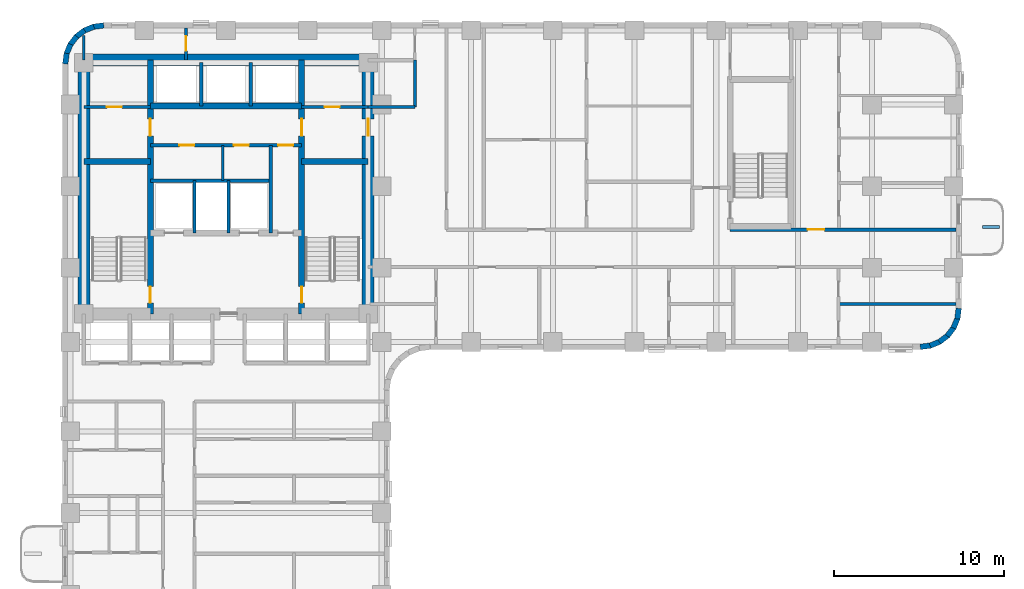
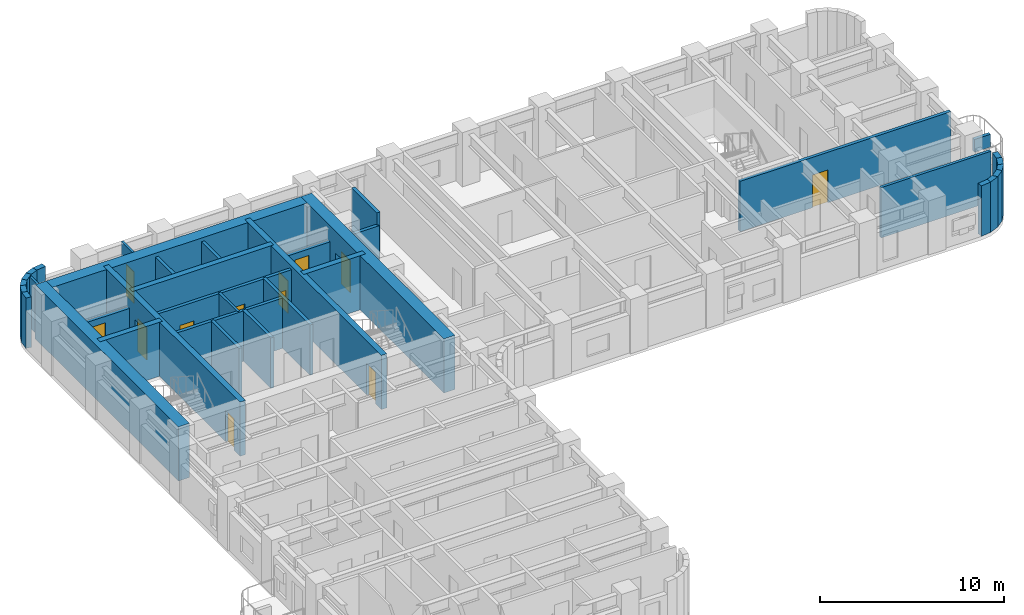
# One storey, part 6 of 12: 37 walls, 12 doors, 12 openings.
"""IFC4 building model written with IfcOpenShell, lengths in metres."""

from ifc_helpers import new_model, si_unit, direction, frame, frame_2d, origin, place, context, subcontext, project, spatial, rectangle, extrude, material, layer, layer_set, type_object, element, fill, save


model = new_model("IFC4")

# Units and contexts
model_context = context("Model", 3, precision=1e-05, world=origin(), true_north=direction((0.0, 1.0)))
body_context = subcontext(model_context, "Body", "Model", "MODEL_VIEW")
ifc_project = project(units=[si_unit("LENGTHUNIT", "METRE"), si_unit("AREAUNIT", "SQUARE_METRE"), si_unit("VOLUMEUNIT", "CUBIC_METRE"), si_unit("PLANEANGLEUNIT", "RADIAN"), si_unit("MASSUNIT", "GRAM", prefix="KILO")], contexts=[model_context])

# Site, building, storey
site_placement = place(None, origin())
site = spatial("IfcSite", under=ifc_project, at=site_placement, CompositionType="ELEMENT")
building_placement = place(site_placement, origin())
building = spatial("IfcBuilding", under=site, at=building_placement, Name="Orvandelia Arch Residences", CompositionType="ELEMENT")
storey_placement = place(building_placement, frame((0.0, 0.0, 35.800048828125)))
storey = spatial("IfcBuildingStorey", under=building, at=storey_placement, Name="L08", CompositionType="ELEMENT", Elevation=35.800048828125)

# Wall, openings, doors
ifc_material_1 = material(Name="Concrete C50/60", Category="concrete")
ifc_layer_1 = layer(ifc_material_1, 0.35009765625, Name="Concrete C50/60", Category="concrete")
ifc_layer_set_1 = layer_set([ifc_layer_1], Name="Concrete C50/60")
wall_type_1 = type_object("IfcWallType", Name="WL-CORE-350", PredefinedType="SHEAR", material=ifc_layer_set_1)
wall_1_placement = place(storey_placement, frame((9.9599609375, 30.89990234375, 0.0), z_axis=(0.0, 0.0, 1.0), x_axis=(0.0, 1.0, 0.0)))
wall_1 = element("IfcWall", 1, at=wall_1_placement, inside=storey, type_object=wall_type_1, Name="Core Shear Wall L08-WEB1", PredefinedType="SHEAR", context=body_context, shape_type="SweptSolid", body=[
    extrude(rectangle(XDim=14.900146484375, YDim=0.35009765625, at=frame_2d((7.4501953125, 0.0))), origin(), (0.0, 0.0, 1.0), 3.599853515625),
])
opening_1_placement = place(wall_1_placement, frame((0.64990234375, 0.0, 0.0)))
opening_1 = element("IfcOpeningElement", 2, at=opening_1_placement, cuts=wall_1, Name="Opening D7", PredefinedType="OPENING", context=body_context, shape_type="SweptSolid", body=[
    extrude(rectangle(XDim=0.949951171875, YDim=2.10009765625, at=frame_2d((0.47509765625, 1.050048828125))), frame((0.0, 0.18505859375, 0.0), z_axis=(0.0, -1.0, 0.0), x_axis=(1.0, 0.0, 0.0)), (0.0, 0.0, 1.0), 0.3701171875),
])
opening_2_placement = place(wall_1_placement, frame((10.449951171875, 0.0, 0.0)))
opening_2 = element("IfcOpeningElement", 3, at=opening_2_placement, cuts=wall_1, Name="Opening D6", PredefinedType="OPENING", context=body_context, shape_type="SweptSolid", body=[
    extrude(rectangle(XDim=1.0, YDim=2.14990234375, at=frame_2d((0.5, 1.074951171875))), frame((0.0, 0.18505859375, 0.0), z_axis=(0.0, -1.0, 0.0), x_axis=(1.0, 0.0, 0.0)), (0.0, 0.0, 1.0), 0.3701171875),
])
ifc_material_2 = material(Name="Smokeproof Painted Steel Fire Door", Category="steel")
door_type_1 = type_object("IfcDoorType", Name="DR-FD60-1000", OperationType="NOTDEFINED", PredefinedType="DOOR", material=ifc_material_2)
door_1_placement = place(opening_2_placement, origin())
door_1 = element("IfcDoor", 4, at=door_1_placement, inside=storey, type_object=door_type_1, Name="High-Rise Lift Hall West Vestibule Door L08", OperationType="SINGLE_SWING_LEFT", OverallHeight=2.14990234375, OverallWidth=1.0, PredefinedType="DOOR", context=body_context, shape_type="SweptSolid", body=[
    extrude(rectangle(XDim=1.0, YDim=2.14990234375, at=frame_2d((0.5, 1.074951171875))), frame((0.0, 0.02490234375, 0.0), z_axis=(0.0, -1.0, 0.0), x_axis=(1.0, 0.0, 0.0)), (0.0, 0.0, 1.0), 0.050048828125),
])
fill(opening_2, door_1)
ifc_material_3 = material(Name="Pressurised Stairwell Fire Door")
door_type_2 = type_object("IfcDoorType", Name="DR-STAIR-950", OperationType="NOTDEFINED", PredefinedType="DOOR", material=ifc_material_3)
door_2_placement = place(opening_1_placement, origin())
door_2 = element("IfcDoor", 5, at=door_2_placement, inside=storey, type_object=door_type_2, Name="Stairwell ST-1 Fire Door L08", OperationType="SINGLE_SWING_LEFT", OverallHeight=2.10009765625, OverallWidth=0.949951171875, PredefinedType="DOOR", context=body_context, shape_type="SweptSolid", body=[
    extrude(rectangle(XDim=0.949951171875, YDim=2.10009765625, at=frame_2d((0.47509765625, 1.050048828125))), frame((0.0, 0.02490234375, 0.0), z_axis=(0.0, -1.0, 0.0), x_axis=(1.0, 0.0, 0.0)), (0.0, 0.0, 1.0), 0.050048828125),
])
fill(opening_1, door_2)

wall_2_placement = place(storey_placement, frame((18.840087890625, 30.89990234375, 0.0), z_axis=(0.0, 0.0, 1.0), x_axis=(0.0, 1.0, 0.0)))
wall_2 = element("IfcWall", 6, at=wall_2_placement, inside=storey, type_object=wall_type_1, Name="Core Shear Wall L08-WEB2", PredefinedType="SHEAR", context=body_context, shape_type="SweptSolid", body=[
    extrude(rectangle(XDim=14.900146484375, YDim=0.35009765625, at=frame_2d((7.4501953125, 0.0))), origin(), (0.0, 0.0, 1.0), 3.599853515625),
])
opening_3_placement = place(wall_2_placement, frame((0.64990234375, 0.0, 0.0)))
opening_3 = element("IfcOpeningElement", 7, at=opening_3_placement, cuts=wall_2, Name="Opening D7", PredefinedType="OPENING", context=body_context, shape_type="SweptSolid", body=[
    extrude(rectangle(XDim=0.949951171875, YDim=2.10009765625, at=frame_2d((0.47509765625, 1.050048828125))), frame((0.0, 0.18505859375, 0.0), z_axis=(0.0, -1.0, 0.0), x_axis=(1.0, 0.0, 0.0)), (0.0, 0.0, 1.0), 0.3701171875),
])
opening_4_placement = place(wall_2_placement, frame((10.449951171875, 0.0, 0.0)))
opening_4 = element("IfcOpeningElement", 8, at=opening_4_placement, cuts=wall_2, Name="Opening D6", PredefinedType="OPENING", context=body_context, shape_type="SweptSolid", body=[
    extrude(rectangle(XDim=1.0, YDim=2.14990234375, at=frame_2d((0.5, 1.074951171875))), frame((0.0, 0.18505859375, 0.0), z_axis=(0.0, -1.0, 0.0), x_axis=(1.0, 0.0, 0.0)), (0.0, 0.0, 1.0), 0.3701171875),
])
door_3_placement = place(opening_4_placement, origin())
door_3 = element("IfcDoor", 9, at=door_3_placement, inside=storey, type_object=door_type_1, Name="High-Rise Lift Hall East Vestibule Door L08", OperationType="SINGLE_SWING_RIGHT", OverallHeight=2.14990234375, OverallWidth=1.0, PredefinedType="DOOR", context=body_context, shape_type="SweptSolid", body=[
    extrude(rectangle(XDim=1.0, YDim=2.14990234375, at=frame_2d((0.5, 1.074951171875))), frame((0.0, 0.02490234375, 0.0), z_axis=(0.0, -1.0, 0.0), x_axis=(1.0, 0.0, 0.0)), (0.0, 0.0, 1.0), 0.050048828125),
])
fill(opening_4, door_3)
door_4_placement = place(opening_3_placement, origin())
door_4 = element("IfcDoor", 10, at=door_4_placement, inside=storey, type_object=door_type_2, Name="Stairwell ST-2 Fire Door L08", OperationType="SINGLE_SWING_RIGHT", OverallHeight=2.10009765625, OverallWidth=0.949951171875, PredefinedType="DOOR", context=body_context, shape_type="SweptSolid", body=[
    extrude(rectangle(XDim=0.949951171875, YDim=2.10009765625, at=frame_2d((0.47509765625, 1.050048828125))), frame((0.0, 0.02490234375, 0.0), z_axis=(0.0, -1.0, 0.0), x_axis=(1.0, 0.0, 0.0)), (0.0, 0.0, 1.0), 0.050048828125),
])
fill(opening_3, door_4)

# Walls
for number, where, z_axis, x_axis, name in (
    (11, (6.050048828125, 39.85009765625, 0.0), (0.0, 0.0, 1.0), (1.0, 0.0, 0.0), "Core Shear Wall L08-HZ1"),
    (12, (18.840087890625, 39.85009765625, 0.0), (0.0, 0.0, 1.0), (1.0, 0.0, 0.0), "Core Shear Wall L08-HZ2"),
):
    element("IfcWall", number, at=place(storey_placement, frame(where, z_axis=z_axis, x_axis=x_axis)), inside=storey, type_object=wall_type_1, Name=name, PredefinedType="SHEAR", context=body_context, shape_type="SweptSolid", body=[
        extrude(rectangle(XDim=3.909912109375, YDim=0.35009765625, at=frame_2d((1.955078125, 0.0))), origin(), (0.0, 0.0, 1.0), 3.599853515625),
    ])
wall_3_placement = place(storey_placement, frame((9.9599609375, 43.10009765625, 0.0), z_axis=(0.0, 0.0, 1.0), x_axis=(1.0, 0.0, 0.0)))
element("IfcWall", 13, at=wall_3_placement, inside=storey, type_object=wall_type_1, Name="Core Shear Wall L08-HZ4", PredefinedType="SHEAR", context=body_context, shape_type="SweptSolid", body=[
    extrude(rectangle(XDim=8.880126953125, YDim=0.35009765625, at=frame_2d((4.43994140625, 0.0))), origin(), (0.0, 0.0, 1.0), 3.599853515625),
])
ifc_material_4 = material(Name="Concrete C80/95", Category="concrete")
ifc_layer_2 = layer(ifc_material_4, 0.699951171875, Name="Concrete C80/95", Category="concrete")
ifc_layer_set_2 = layer_set([ifc_layer_2], Name="Concrete C80/95")
wall_type_2 = type_object("IfcWallType", Name="WL-CORE-700", PredefinedType="SHEAR", material=ifc_layer_set_2)
wall_4_placement = place(storey_placement, frame((6.050048828125, 30.550048828125, 0.0), z_axis=(0.0, 0.0, 1.0), x_axis=(0.0, 1.0, 0.0)))
element("IfcWall", 14, at=wall_4_placement, inside=storey, type_object=wall_type_2, Name="Core Shear Wall L08-W", PredefinedType="SHEAR", context=body_context, shape_type="SweptSolid", body=[
    extrude(rectangle(XDim=15.599853515625, YDim=0.699951171875, at=frame_2d((7.7998046875, 0.0))), origin(), (0.0, 0.0, 1.0), 3.599853515625),
])

# Wall, opening, door
wall_5_placement = place(storey_placement, frame((22.75, 30.550048828125, 0.0), z_axis=(0.0, 0.0, 1.0), x_axis=(0.0, 1.0, 0.0)))
wall_5 = element("IfcWall", 15, at=wall_5_placement, inside=storey, type_object=wall_type_2, Name="Core Shear Wall L08-E", PredefinedType="SHEAR", context=body_context, shape_type="SweptSolid", body=[
    extrude(rectangle(XDim=15.599853515625, YDim=0.699951171875, at=frame_2d((7.7998046875, 0.0))), origin(), (0.0, 0.0, 1.0), 3.599853515625),
])
opening_5_placement = place(wall_5_placement, frame((10.800048828125, 0.0, 0.0)))
opening_5 = element("IfcOpeningElement", 16, at=opening_5_placement, cuts=wall_5, Name="Opening D6", PredefinedType="OPENING", context=body_context, shape_type="SweptSolid", body=[
    extrude(rectangle(XDim=1.0, YDim=2.14990234375, at=frame_2d((0.5, 1.074951171875))), frame((0.0, 0.35986328125, 0.0), z_axis=(0.0, -1.0, 0.0), x_axis=(1.0, 0.0, 0.0)), (0.0, 0.0, 1.0), 0.719970703125),
])
door_5_placement = place(opening_5_placement, origin())
door_5 = element("IfcDoor", 17, at=door_5_placement, inside=storey, type_object=door_type_1, Name="Core East Corridor Link Door L08", OperationType="SINGLE_SWING_LEFT", OverallHeight=2.14990234375, OverallWidth=1.0, PredefinedType="DOOR", context=body_context, shape_type="SweptSolid", body=[
    extrude(rectangle(XDim=1.0, YDim=2.14990234375, at=frame_2d((0.5, 1.074951171875))), frame((0.0, 0.02490234375, 0.0), z_axis=(0.0, -1.0, 0.0), x_axis=(1.0, 0.0, 0.0)), (0.0, 0.0, 1.0), 0.050048828125),
])
fill(opening_5, door_5)

# Wall
wall_6_placement = place(storey_placement, frame((6.050048828125, 45.800048828125, 0.0), z_axis=(0.0, 0.0, 1.0), x_axis=(1.0, 0.0, 0.0)))
element("IfcWall", 18, at=wall_6_placement, inside=storey, type_object=wall_type_2, Name="Core Shear Wall L08-N", PredefinedType="SHEAR", context=body_context, shape_type="SweptSolid", body=[
    extrude(rectangle(XDim=16.699951171875, YDim=0.699951171875, at=frame_2d((8.35009765625, 0.0))), origin(), (0.0, 0.0, 1.0), 3.599853515625),
])

# Wall, opening, door
ifc_material_5 = material(Name="Fire-Rated Corridor Partition")
ifc_layer_3 = layer(ifc_material_5, 0.199951171875, Name="Fire-Rated Corridor Partition")
ifc_layer_set_3 = layer_set([ifc_layer_3], Name="Fire-Rated Corridor Partition")
wall_type_3 = type_object("IfcWallType", Name="WL-CORR-200", PredefinedType="PARTITIONING", material=ifc_layer_set_3)
wall_7_placement = place(storey_placement, frame((44.02001953125, 35.85009765625, 0.0), z_axis=(0.0, 0.0, 1.0), x_axis=(1.0, 0.0, 0.0)))
wall_7 = element("IfcWall", 19, at=wall_7_placement, inside=storey, type_object=wall_type_3, Name="Interior Partition Wall WL-L08-ES-N2", PredefinedType="PARTITIONING", context=body_context, shape_type="SweptSolid", body=[
    extrude(rectangle(XDim=13.260009765625, YDim=0.199951171875, at=frame_2d((6.6298828125, 0.0))), origin(), (0.0, 0.0, 1.0), 3.349853515625),
])
opening_6_placement = place(wall_7_placement, frame((4.548583984375, 0.0, 0.0)))
opening_6 = element("IfcOpeningElement", 20, at=opening_6_placement, cuts=wall_7, Name="Opening D1", PredefinedType="OPENING", context=body_context, shape_type="SweptSolid", body=[
    extrude(rectangle(XDim=0.97998046875, YDim=2.179931640625, at=frame_2d((0.489990234375, 1.08984375))), frame((0.0, 0.10986328125, 0.0), z_axis=(0.0, -1.0, 0.0), x_axis=(1.0, 0.0, 0.0)), (0.0, 0.0, 1.0), 0.219970703125),
])
ifc_material_6 = material(Name="Solid-Core Timber Acoustic Fire Door", Category="wood")
door_type_3 = type_object("IfcDoorType", Name="DR-ENT-980", OperationType="NOTDEFINED", PredefinedType="DOOR", material=ifc_material_6)
door_6_placement = place(opening_6_placement, origin())
door_6 = element("IfcDoor", 21, at=door_6_placement, inside=storey, type_object=door_type_3, Name="Unit L08-12 Entrance Door", OperationType="SINGLE_SWING_RIGHT", OverallHeight=2.179931640625, OverallWidth=0.97998046875, PredefinedType="DOOR", context=body_context, shape_type="SweptSolid", body=[
    extrude(rectangle(XDim=0.97998046875, YDim=2.179931640625, at=frame_2d((0.489990234375, 1.08984375))), frame((0.0, 0.02490234375, 0.0), z_axis=(0.0, -1.0, 0.0), x_axis=(1.0, 0.0, 0.0)), (0.0, 0.0, 1.0), 0.050048828125),
])
fill(opening_6, door_6)

# Walls
wall_8_placement = place(storey_placement, frame((22.75, 43.050048828125, 0.0), z_axis=(0.0, 0.0, 1.0), x_axis=(1.0, 0.0, 0.0)))
element("IfcWall", 22, at=wall_8_placement, inside=storey, type_object=wall_type_3, Name="Interior Partition Wall WL-L08-ES-LS", PredefinedType="PARTITIONING", context=body_context, shape_type="SweptSolid", body=[
    extrude(rectangle(XDim=2.75, YDim=0.199951171875, at=frame_2d((1.375, 0.0))), origin(), (0.0, 0.0, 1.0), 2.530029296875),
])
wall_9_placement = place(storey_placement, frame((25.5, 43.050048828125, 0.0), z_axis=(0.0, 0.0, 1.0), x_axis=(0.0, 1.0, 0.0)))
element("IfcWall", 23, at=wall_9_placement, inside=storey, type_object=wall_type_3, Name="Interior Partition Wall WL-L08-ES-LW2", PredefinedType="PARTITIONING", context=body_context, shape_type="SweptSolid", body=[
    extrude(rectangle(XDim=2.75, YDim=0.199951171875, at=frame_2d((1.375, 0.0))), origin(), (0.0, 0.0, 1.0), 3.349853515625),
])
ifc_material_7 = material(Name="Precast concrete C40/50", Category="concrete")
ifc_layer_4 = layer(ifc_material_7, 0.320068359375, Name="Precast concrete C40/50", Category="concrete")
ifc_layer_set_4 = layer_set([ifc_layer_4], Name="Precast concrete C40/50")
wall_type_4 = type_object("IfcWallType", Name="WL-EXT-STONE-320", PredefinedType="STANDARD", material=ifc_layer_set_4)
for number, where, z_axis, x_axis, name in (
    (24, (4.95849609375, 45.5791015625, 0.0), (0.0, 0.0, 1.0), (0.130555323746, 0.9914410257, 0.0), "Coral-Limestone Precast Facade Wall L08-001"),
    (25, (5.029541015625, 46.159912109375, 0.0), (0.0, 0.0, 1.0), (0.382650053678, 0.92389335771, 0.0), "Coral-Limestone Precast Facade Wall L08-002"),
):
    element("IfcWall", number, at=place(storey_placement, frame(where, z_axis=z_axis, x_axis=x_axis)), inside=storey, type_object=wall_type_4, Name=name, PredefinedType="STANDARD", context=body_context, shape_type="SweptSolid", body=[
        extrude(rectangle(XDim=0.62646484375, YDim=0.320068359375, at=frame_2d((0.313232421875, 0.0))), origin(), (0.0, 0.0, 1.0), 3.349853515625),
    ])
wall_10_placement = place(storey_placement, frame((5.248291015625, 46.70263671875, 0.0), z_axis=(0.0, 0.0, 1.0), x_axis=(0.608938521285, 0.7932174212, 0.0)))
element("IfcWall", 26, at=wall_10_placement, inside=storey, type_object=wall_type_4, Name="Coral-Limestone Precast Facade Wall L08-003", PredefinedType="STANDARD", context=body_context, shape_type="SweptSolid", body=[
    extrude(rectangle(XDim=0.626708984375, YDim=0.320068359375, at=frame_2d((0.3134765625, 0.0))), origin(), (0.0, 0.0, 1.0), 3.349853515625),
])
wall_11_placement = place(storey_placement, frame((5.600341796875, 47.170166015625, 0.0), z_axis=(0.0, 0.0, 1.0), x_axis=(0.793405610854, 0.608693302629, 0.0)))
element("IfcWall", 27, at=wall_11_placement, inside=storey, type_object=wall_type_4, Name="Coral-Limestone Precast Facade Wall L08-004", PredefinedType="STANDARD", context=body_context, shape_type="SweptSolid", body=[
    extrude(rectangle(XDim=0.62646484375, YDim=0.320068359375, at=frame_2d((0.313232421875, 0.0))), origin(), (0.0, 0.0, 1.0), 3.349853515625),
])
wall_12_placement = place(storey_placement, frame((6.061279296875, 47.53076171875, 0.0), z_axis=(0.0, 0.0, 1.0), x_axis=(0.923836271867, 0.382787856107, 0.0)))
element("IfcWall", 28, at=wall_12_placement, inside=storey, type_object=wall_type_4, Name="Coral-Limestone Precast Facade Wall L08-005", PredefinedType="STANDARD", context=body_context, shape_type="SweptSolid", body=[
    extrude(rectangle(XDim=0.626220703125, YDim=0.320068359375, at=frame_2d((0.31298828125, 0.0))), origin(), (0.0, 0.0, 1.0), 3.349853515625),
])
for number, where, z_axis, x_axis, name in (
    (29, (6.599609375, 47.759521484375, 0.0), (0.0, 0.0, 1.0), (0.991447664465, 0.130504898859, 0.0), "Coral-Limestone Precast Facade Wall L08-006"),
    (30, (57.44140625, 31.220947265625, 0.0), (0.0, 0.0, 1.0), (-0.130504898859, -0.991447664465, 0.0), "Coral-Limestone Precast Facade Wall L08-015"),
):
    element("IfcWall", number, at=place(storey_placement, frame(where, z_axis=z_axis, x_axis=x_axis)), inside=storey, type_object=wall_type_4, Name=name, PredefinedType="STANDARD", context=body_context, shape_type="SweptSolid", body=[
        extrude(rectangle(XDim=0.626708984375, YDim=0.320068359375, at=frame_2d((0.3134765625, 0.0))), origin(), (0.0, 0.0, 1.0), 3.349853515625),
    ])
wall_13_placement = place(storey_placement, frame((57.370361328125, 30.639892578125, 0.0), z_axis=(0.0, 0.0, 1.0), x_axis=(-0.382787856107, -0.923836271867, 0.0)))
element("IfcWall", 31, at=wall_13_placement, inside=storey, type_object=wall_type_4, Name="Coral-Limestone Precast Facade Wall L08-016", PredefinedType="STANDARD", context=body_context, shape_type="SweptSolid", body=[
    extrude(rectangle(XDim=0.626220703125, YDim=0.320068359375, at=frame_2d((0.31298828125, 0.0))), origin(), (0.0, 0.0, 1.0), 3.349853515625),
])
wall_14_placement = place(storey_placement, frame((57.151611328125, 30.097412109375, 0.0), z_axis=(0.0, 0.0, 1.0), x_axis=(-0.608693302629, -0.793405610854, 0.0)))
element("IfcWall", 32, at=wall_14_placement, inside=storey, type_object=wall_type_4, Name="Coral-Limestone Precast Facade Wall L08-017", PredefinedType="STANDARD", context=body_context, shape_type="SweptSolid", body=[
    extrude(rectangle(XDim=0.62646484375, YDim=0.320068359375, at=frame_2d((0.313232421875, 0.0))), origin(), (0.0, 0.0, 1.0), 3.349853515625),
])
wall_15_placement = place(storey_placement, frame((56.7998046875, 29.6298828125, 0.0), z_axis=(0.0, 0.0, 1.0), x_axis=(-0.793361818833, -0.608750379399, 0.0)))
element("IfcWall", 33, at=wall_15_placement, inside=storey, type_object=wall_type_4, Name="Coral-Limestone Precast Facade Wall L08-018", PredefinedType="STANDARD", context=body_context, shape_type="SweptSolid", body=[
    extrude(rectangle(XDim=0.626953125, YDim=0.320068359375, at=frame_2d((0.3134765625, 0.0))), origin(), (0.0, 0.0, 1.0), 3.349853515625),
])
for number, where, z_axis, x_axis, name in (
    (34, (56.3388671875, 29.269287109375, 0.0), (0.0, 0.0, 1.0), (-0.92389335771, -0.382650053678, 0.0), "Coral-Limestone Precast Facade Wall L08-019"),
    (35, (55.80029296875, 29.040283203125, 0.0), (0.0, 0.0, 1.0), (-0.9914410257, -0.130555323746, 0.0), "Coral-Limestone Precast Facade Wall L08-020"),
):
    element("IfcWall", number, at=place(storey_placement, frame(where, z_axis=z_axis, x_axis=x_axis)), inside=storey, type_object=wall_type_4, Name=name, PredefinedType="STANDARD", context=body_context, shape_type="SweptSolid", body=[
        extrude(rectangle(XDim=0.62646484375, YDim=0.320068359375, at=frame_2d((0.313232421875, 0.0))), origin(), (0.0, 0.0, 1.0), 3.349853515625),
    ])
ifc_material_8 = material(Name="Acoustic Gypsum Stud Partition")
ifc_layer_5 = layer(ifc_material_8, 0.14990234375, Name="Acoustic Gypsum Stud Partition")
ifc_layer_set_5 = layer_set([ifc_layer_5], Name="Acoustic Gypsum Stud Partition")
wall_type_5 = type_object("IfcWallType", Name="WL-PART-150", PredefinedType="PARTITIONING", material=ifc_layer_set_5)
wall_16_placement = place(storey_placement, frame((14.199951171875, 38.719970703125, 0.0), z_axis=(0.0, 0.0, 1.0), x_axis=(0.0, 1.0, 0.0)))
element("IfcWall", 36, at=wall_16_placement, inside=storey, type_object=wall_type_5, Name="Interior Partition Wall WL-L08-CSA-1", PredefinedType="PARTITIONING", context=body_context, shape_type="SweptSolid", body=[
    extrude(rectangle(XDim=2.080078125, YDim=0.14990234375, at=frame_2d((1.0400390625, 0.0))), origin(), (0.0, 0.0, 1.0), 3.349853515625),
])
wall_17_placement = place(storey_placement, frame((6.050048828125, 45.800048828125, 0.0), z_axis=(0.0, 0.0, 1.0), x_axis=(0.0, 1.0, 0.0)))
element("IfcWall", 37, at=wall_17_placement, inside=storey, type_object=wall_type_5, Name="Interior Partition Wall WL-L08-NC-W6", PredefinedType="PARTITIONING", context=body_context, shape_type="SweptSolid", body=[
    extrude(rectangle(XDim=1.4599609375, YDim=0.14990234375, at=frame_2d((0.72998046875, 0.0))), origin(), (0.0, 0.0, 1.0), 3.349853515625),
])

# Wall, opening, door
wall_18_placement = place(storey_placement, frame((12.050048828125, 45.800048828125, 0.0), z_axis=(0.0, 0.0, 1.0), x_axis=(0.0, 1.0, 0.0)))
wall_18 = element("IfcWall", 38, at=wall_18_placement, inside=storey, type_object=wall_type_5, Name="Interior Partition Wall WL-L08-NC-M", PredefinedType="PARTITIONING", context=body_context, shape_type="SweptSolid", body=[
    extrude(rectangle(XDim=1.8798828125, YDim=0.14990234375, at=frame_2d((0.93994140625, 0.0))), origin(), (0.0, 0.0, 1.0), 3.349853515625),
])
opening_7_placement = place(wall_18_placement, frame((0.550048828125, 0.0, 0.0)))
opening_7 = element("IfcOpeningElement", 39, at=opening_7_placement, cuts=wall_18, Name="Opening D4", PredefinedType="OPENING", context=body_context, shape_type="SweptSolid", body=[
    extrude(rectangle(XDim=0.860107421875, YDim=2.10009765625, at=frame_2d((0.43017578125, 1.050048828125))), frame((0.0, 0.0849609375, 0.0), z_axis=(0.0, -1.0, 0.0), x_axis=(1.0, 0.0, 0.0)), (0.0, 0.0, 1.0), 0.169921875),
])
ifc_material_9 = material(Name="Moisture-Sealed Timber Bathroom Door", Category="wood")
door_type_4 = type_object("IfcDoorType", Name="DR-WET-900", OperationType="NOTDEFINED", PredefinedType="DOOR", material=ifc_material_9)
door_7_placement = place(opening_7_placement, origin())
door_7 = element("IfcDoor", 40, at=door_7_placement, inside=storey, type_object=door_type_4, Name="DR-L08-NCS1", OperationType="SINGLE_SWING_LEFT", OverallHeight=2.10009765625, OverallWidth=0.860107421875, PredefinedType="DOOR", context=body_context, shape_type="SweptSolid", body=[
    extrude(rectangle(XDim=0.860107421875, YDim=2.10009765625, at=frame_2d((0.43017578125, 1.050048828125))), frame((0.0, 0.02490234375, 0.0), z_axis=(0.0, -1.0, 0.0), x_axis=(1.0, 0.0, 0.0)), (0.0, 0.0, 1.0), 0.050048828125),
])
fill(opening_7, door_7)

# Walls
ifc_layer_6 = layer(ifc_material_7, 0.199951171875, Name="Precast concrete C40/50", Category="concrete")
ifc_layer_set_6 = layer_set([ifc_layer_6], Name="Precast concrete C40/50")
wall_type_6 = type_object("IfcWallType", Name="WL-PLANTER-200", PredefinedType="MOVABLE", material=ifc_layer_set_6)
wall_19_placement = place(storey_placement, frame((58.85009765625, 36.0, 0.0), z_axis=(0.0, 0.0, 1.0), x_axis=(1.0, 0.0, 0.0)))
element("IfcWall", 41, at=wall_19_placement, inside=storey, type_object=wall_type_6, Name="Balcony Precast Tree Planter BAL-L08-E1", PredefinedType="MOVABLE", context=body_context, shape_type="SweptSolid", body=[
    extrude(rectangle(XDim=1.0, YDim=0.199951171875, at=frame_2d((0.5, 0.0))), origin(), (0.0, 0.0, 1.0), 0.849853515625),
])
ifc_material_10 = material(Name="Fire-Rated Shaft Enclosure Wall")
ifc_layer_7 = layer(ifc_material_10, 0.199951171875, Name="Fire-Rated Shaft Enclosure Wall")
ifc_layer_set_7 = layer_set([ifc_layer_7], Name="Fire-Rated Shaft Enclosure Wall")
wall_type_7 = type_object("IfcWallType", Name="WL-SHAFT-200", PredefinedType="POLYGONAL", material=ifc_layer_set_7)
wall_20_placement = place(storey_placement, frame((9.9599609375, 38.719970703125, 0.0), z_axis=(0.0, 0.0, 1.0), x_axis=(1.0, 0.0, 0.0)))
element("IfcWall", 42, at=wall_20_placement, inside=storey, type_object=wall_type_7, Name="Interior Partition Wall WL-L08-FLN", PredefinedType="POLYGONAL", context=body_context, shape_type="SweptSolid", body=[
    extrude(rectangle(XDim=7.06005859375, YDim=0.199951171875, at=frame_2d((3.530029296875, 0.0))), origin(), (0.0, 0.0, 1.0), 3.349853515625),
])
for number, where, z_axis, x_axis, name in (
    (43, (12.550048828125, 35.64990234375, 0.0), (0.0, 0.0, 1.0), (0.0, 1.0, 0.0), "Interior Partition Wall WL-L08-FLM1"),
    (44, (14.550048828125, 35.64990234375, 0.0), (0.0, 0.0, 1.0), (0.0, 1.0, 0.0), "Interior Partition Wall WL-L08-FLM2"),
):
    element("IfcWall", number, at=place(storey_placement, frame(where, z_axis=z_axis, x_axis=x_axis)), inside=storey, type_object=wall_type_7, Name=name, PredefinedType="POLYGONAL", context=body_context, shape_type="SweptSolid", body=[
        extrude(rectangle(XDim=3.070068359375, YDim=0.199951171875, at=frame_2d((1.53515625, 0.0))), origin(), (0.0, 0.0, 1.0), 3.349853515625),
    ])
wall_21_placement = place(storey_placement, frame((17.02001953125, 35.64990234375, 0.0), z_axis=(0.0, 0.0, 1.0), x_axis=(0.0, 1.0, 0.0)))
element("IfcWall", 45, at=wall_21_placement, inside=storey, type_object=wall_type_7, Name="Interior Partition Wall WL-L08-FLM3", PredefinedType="POLYGONAL", context=body_context, shape_type="SweptSolid", body=[
    extrude(rectangle(XDim=5.150146484375, YDim=0.199951171875, at=frame_2d((2.5751953125, 0.0))), origin(), (0.0, 0.0, 1.0), 3.349853515625),
])

# Wall, openings, doors
wall_22_placement = place(storey_placement, frame((9.9599609375, 40.800048828125, 0.0), z_axis=(0.0, 0.0, 1.0), x_axis=(1.0, 0.0, 0.0)))
wall_22 = element("IfcWall", 46, at=wall_22_placement, inside=storey, type_object=wall_type_7, Name="Interior Partition Wall WL-L08-HLH-S", PredefinedType="POLYGONAL", context=body_context, shape_type="SweptSolid", body=[
    extrude(rectangle(XDim=8.880126953125, YDim=0.199951171875, at=frame_2d((4.43994140625, 0.0))), origin(), (0.0, 0.0, 1.0), 3.349853515625),
])
opening_8_placement = place(wall_22_placement, frame((7.5, 0.0, 0.0)))
opening_8 = element("IfcOpeningElement", 47, at=opening_8_placement, cuts=wall_22, Name="Opening D5", PredefinedType="OPENING", context=body_context, shape_type="SweptSolid", body=[
    extrude(rectangle(XDim=0.8798828125, YDim=2.10009765625, at=frame_2d((0.43994140625, 1.050048828125))), frame((0.0, 0.10986328125, 0.0), z_axis=(0.0, -1.0, 0.0), x_axis=(1.0, 0.0, 0.0)), (0.0, 0.0, 1.0), 0.219970703125),
])
opening_9_placement = place(wall_22_placement, frame((1.699951171875, 0.0, 0.0)))
opening_9 = element("IfcOpeningElement", 48, at=opening_9_placement, cuts=wall_22, Name="Opening D5", PredefinedType="OPENING", context=body_context, shape_type="SweptSolid", body=[
    extrude(rectangle(XDim=0.8798828125, YDim=2.10009765625, at=frame_2d((0.43994140625, 1.050048828125))), frame((0.0, 0.10986328125, 0.0), z_axis=(0.0, -1.0, 0.0), x_axis=(1.0, 0.0, 0.0)), (0.0, 0.0, 1.0), 0.219970703125),
])
opening_10_placement = place(wall_22_placement, frame((4.89990234375, 0.0, 0.0)))
opening_10 = element("IfcOpeningElement", 49, at=opening_10_placement, cuts=wall_22, Name="Opening D5", PredefinedType="OPENING", context=body_context, shape_type="SweptSolid", body=[
    extrude(rectangle(XDim=0.8798828125, YDim=2.10009765625, at=frame_2d((0.43994140625, 1.050048828125))), frame((0.0, 0.10986328125, 0.0), z_axis=(0.0, -1.0, 0.0), x_axis=(1.0, 0.0, 0.0)), (0.0, 0.0, 1.0), 0.219970703125),
])
ifc_material_11 = material(Name="Painted Galvanised Steel Service Door", Category="steel")
door_type_5 = type_object("IfcDoorType", Name="DR-SRV-880", OperationType="NOTDEFINED", PredefinedType="DOOR", material=ifc_material_11)
door_8_placement = place(opening_8_placement, origin())
door_8 = element("IfcDoor", 50, at=door_8_placement, inside=storey, type_object=door_type_5, Name="Core Stairway Passage North Fire Door L08", OperationType="SINGLE_SWING_RIGHT", OverallHeight=2.10009765625, OverallWidth=0.8798828125, PredefinedType="DOOR", context=body_context, shape_type="SweptSolid", body=[
    extrude(rectangle(XDim=0.8798828125, YDim=2.10009765625, at=frame_2d((0.43994140625, 1.050048828125))), frame((0.0, 0.02490234375, 0.0), z_axis=(0.0, -1.0, 0.0), x_axis=(1.0, 0.0, 0.0)), (0.0, 0.0, 1.0), 0.050048828125),
])
fill(opening_8, door_8)
door_9_placement = place(opening_9_placement, origin())
door_9 = element("IfcDoor", 51, at=door_9_placement, inside=storey, type_object=door_type_5, Name="DR-L08-CSA1", OperationType="SINGLE_SWING_LEFT", OverallHeight=2.10009765625, OverallWidth=0.8798828125, PredefinedType="DOOR", context=body_context, shape_type="SweptSolid", body=[
    extrude(rectangle(XDim=0.8798828125, YDim=2.10009765625, at=frame_2d((0.43994140625, 1.050048828125))), frame((0.0, 0.02490234375, 0.0), z_axis=(0.0, -1.0, 0.0), x_axis=(1.0, 0.0, 0.0)), (0.0, 0.0, 1.0), 0.050048828125),
])
fill(opening_9, door_9)
door_10_placement = place(opening_10_placement, origin())
door_10 = element("IfcDoor", 52, at=door_10_placement, inside=storey, type_object=door_type_5, Name="DR-L08-CSA2", OperationType="SINGLE_SWING_RIGHT", OverallHeight=2.10009765625, OverallWidth=0.8798828125, PredefinedType="DOOR", context=body_context, shape_type="SweptSolid", body=[
    extrude(rectangle(XDim=0.8798828125, YDim=2.10009765625, at=frame_2d((0.43994140625, 1.050048828125))), frame((0.0, 0.02490234375, 0.0), z_axis=(0.0, -1.0, 0.0), x_axis=(1.0, 0.0, 0.0)), (0.0, 0.0, 1.0), 0.050048828125),
])
fill(opening_10, door_10)

# Wall, opening, door
wall_23_placement = place(storey_placement, frame((18.840087890625, 43.050048828125, 0.0), z_axis=(0.0, 0.0, 1.0), x_axis=(1.0, 0.0, 0.0)))
wall_23 = element("IfcWall", 53, at=wall_23_placement, inside=storey, type_object=wall_type_7, Name="Interior Partition Wall WL-L08-HLE-N", PredefinedType="POLYGONAL", context=body_context, shape_type="SweptSolid", body=[
    extrude(rectangle(XDim=3.909912109375, YDim=0.199951171875, at=frame_2d((1.955078125, 0.0))), origin(), (0.0, 0.0, 1.0), 2.530029296875),
])
opening_11_placement = place(wall_23_placement, frame((1.35009765625, 0.0, 0.0)))
opening_11 = element("IfcOpeningElement", 54, at=opening_11_placement, cuts=wall_23, Name="Opening D5", PredefinedType="OPENING", context=body_context, shape_type="SweptSolid", body=[
    extrude(rectangle(XDim=0.8798828125, YDim=2.10009765625, at=frame_2d((0.43994140625, 1.050048828125))), frame((0.0, 0.10986328125, 0.0), z_axis=(0.0, -1.0, 0.0), x_axis=(1.0, 0.0, 0.0)), (0.0, 0.0, 1.0), 0.219970703125),
])
door_11_placement = place(opening_11_placement, origin())
door_11 = element("IfcDoor", 55, at=door_11_placement, inside=storey, type_object=door_type_5, Name="DR-L08-CSB1", OperationType="SINGLE_SWING_LEFT", OverallHeight=2.10009765625, OverallWidth=0.8798828125, PredefinedType="DOOR", context=body_context, shape_type="SweptSolid", body=[
    extrude(rectangle(XDim=0.8798828125, YDim=2.10009765625, at=frame_2d((0.43994140625, 1.050048828125))), frame((0.0, 0.02490234375, 0.0), z_axis=(0.0, -1.0, 0.0), x_axis=(1.0, 0.0, 0.0)), (0.0, 0.0, 1.0), 0.050048828125),
])
fill(opening_11, door_11)

wall_24_placement = place(storey_placement, frame((6.050048828125, 43.050048828125, 0.0), z_axis=(0.0, 0.0, 1.0), x_axis=(1.0, 0.0, 0.0)))
wall_24 = element("IfcWall", 56, at=wall_24_placement, inside=storey, type_object=wall_type_7, Name="Interior Partition Wall WL-L08-HLW-N", PredefinedType="POLYGONAL", context=body_context, shape_type="SweptSolid", body=[
    extrude(rectangle(XDim=3.909912109375, YDim=0.199951171875, at=frame_2d((1.955078125, 0.0))), origin(), (0.0, 0.0, 1.0), 2.530029296875),
])
opening_12_placement = place(wall_24_placement, frame((1.35009765625, 0.0, 0.0)))
opening_12 = element("IfcOpeningElement", 57, at=opening_12_placement, cuts=wall_24, Name="Opening D5", PredefinedType="OPENING", context=body_context, shape_type="SweptSolid", body=[
    extrude(rectangle(XDim=0.8798828125, YDim=2.10009765625, at=frame_2d((0.43994140625, 1.050048828125))), frame((0.0, 0.10986328125, 0.0), z_axis=(0.0, -1.0, 0.0), x_axis=(1.0, 0.0, 0.0)), (0.0, 0.0, 1.0), 0.219970703125),
])
door_12_placement = place(opening_12_placement, origin())
door_12 = element("IfcDoor", 58, at=door_12_placement, inside=storey, type_object=door_type_5, Name="Riser Service Door L08", OperationType="SINGLE_SWING_RIGHT", OverallHeight=2.10009765625, OverallWidth=0.8798828125, PredefinedType="DOOR", context=body_context, shape_type="SweptSolid", body=[
    extrude(rectangle(XDim=0.8798828125, YDim=2.10009765625, at=frame_2d((0.43994140625, 1.050048828125))), frame((0.0, 0.02490234375, 0.0), z_axis=(0.0, -1.0, 0.0), x_axis=(1.0, 0.0, 0.0)), (0.0, 0.0, 1.0), 0.050048828125),
])
fill(opening_12, door_12)

# Walls
for number, where, z_axis, x_axis, name in (
    (59, (12.949951171875, 43.10009765625, 0.0), (0.0, 0.0, 1.0), (0.0, 1.0, 0.0), "Interior Partition Wall WL-L08-PHD1"),
    (60, (15.85009765625, 43.10009765625, 0.0), (0.0, 0.0, 1.0), (0.0, 1.0, 0.0), "Interior Partition Wall WL-L08-PHD2"),
):
    element("IfcWall", number, at=place(storey_placement, frame(where, z_axis=z_axis, x_axis=x_axis)), inside=storey, type_object=wall_type_7, Name=name, PredefinedType="POLYGONAL", context=body_context, shape_type="SweptSolid", body=[
        extrude(rectangle(XDim=2.5498046875, YDim=0.199951171875, at=frame_2d((1.27490234375, 0.0))), origin(), (0.0, 0.0, 1.0), 3.349853515625),
    ])
ifc_material_12 = material(Name="Moisture-Resistant Plumbing Wall")
ifc_layer_8 = layer(ifc_material_12, 0.179931640625, Name="Moisture-Resistant Plumbing Wall")
ifc_layer_set_8 = layer_set([ifc_layer_8], Name="Moisture-Resistant Plumbing Wall")
wall_type_8 = type_object("IfcWallType", Name="WL-WET-180", PredefinedType="PLUMBINGWALL", material=ifc_layer_set_8)
wall_25_placement = place(storey_placement, frame((50.3798828125, 31.485107421875, 0.0), z_axis=(0.0, 0.0, 1.0), x_axis=(1.0, 0.0, 0.0)))
element("IfcWall", 61, at=wall_25_placement, inside=storey, type_object=wall_type_8, Name="Interior Partition Wall WL-L08-U10-H1", PredefinedType="PLUMBINGWALL", context=body_context, shape_type="SweptSolid", body=[
    extrude(rectangle(XDim=6.900146484375, YDim=0.179931640625, at=frame_2d((3.4501953125, 0.0))), origin(), (0.0, 0.0, 1.0), 3.349853515625),
])

save(model, "model.ifc")
